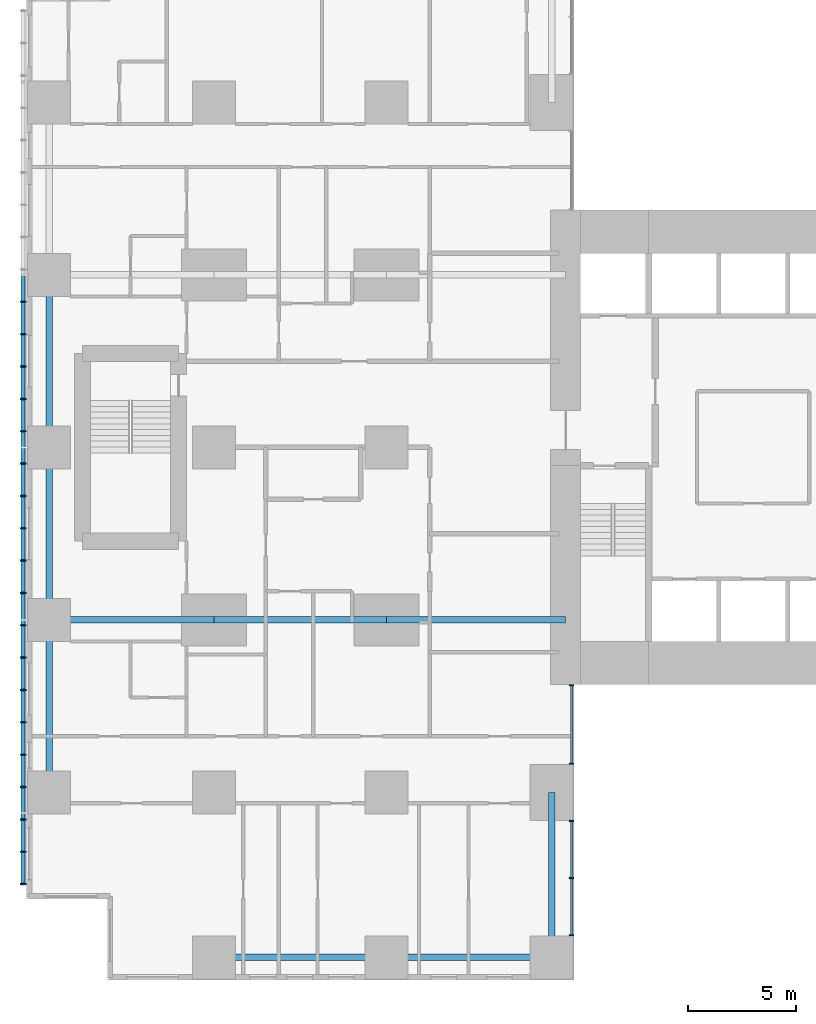
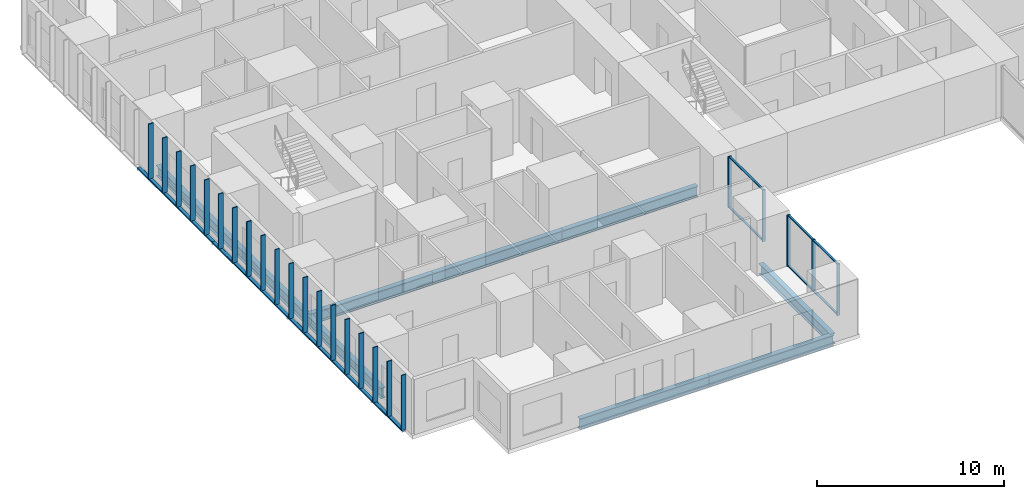
# One storey, part 2 of 20: 33 members, 9 beams, 2 elements without a shape of their own.
"""IFC4 building model written with IfcOpenShell, lengths in metres."""

import ifcopenshell
import ifcopenshell.guid

model = None  # the IFC model being written
_history = None  # IfcOwnerHistory: only IFC2X3 demands one
_inside = {}  # id of a spatial element -> (the spatial element, [elements in it])
_under = {}  # id of a project, library or spatial element -> (it, [spatial elements below it])
_declared = {}  # id of a project -> (the project, [libraries it declares])
_typed = {}  # id of a type object -> (the type object, [elements of that type])
_made_of = {}  # id of a material, layer set ... -> (it, [elements and type objects made of it])


def new_model(schema):
    """Start an empty IFC model of exactly this schema.

    Asked for "IFC4X3", IfcOpenShell would pick the latest addendum, in which some entities
    have other attributes; the version numbers below select the first issue.
    IFC2X3 requires an IfcOwnerHistory on every rooted entity: one is made here for all.
    """
    global model, _history
    if schema == "IFC4X3":
        model = ifcopenshell.file(schema_version=(4, 3, 0, 0))
    else:
        model = ifcopenshell.file(schema=schema)
    _inside.clear()
    _under.clear()
    _declared.clear()
    _typed.clear()
    _made_of.clear()
    _history = None
    if model.schema == "IFC2X3":
        org = make("IfcOrganization", Name="unknown")
        user = make(
            "IfcPersonAndOrganization",
            ThePerson=make("IfcPerson", FamilyName="unknown"),
            TheOrganization=org,
        )
        app = make(
            "IfcApplication",
            ApplicationDeveloper=org,
            Version="unknown",
            ApplicationFullName="unknown",
            ApplicationIdentifier="unknown",
        )
        _history = make(
            "IfcOwnerHistory",
            OwningUser=user,
            OwningApplication=app,
            ChangeAction="ADDED",
            CreationDate=0,
        )
    return model


def make(cls, **values):
    """One entity of the class cls with the attributes given. An attribute that is None is left unset."""
    return model.create_entity(
        cls, **{name: value for name, value in values.items() if value is not None}
    )


def rooted(cls, **values):
    """An entity with a GlobalId (a new one), such as an element, a storey or a relation."""
    return make(cls, GlobalId=ifcopenshell.guid.new(), OwnerHistory=_history, **values)


def si_unit(unit_type, name, prefix=None):
    """IfcSIUnit, for example si_unit("LENGTHUNIT", "METRE", prefix="MILLI")."""
    return make("IfcSIUnit", UnitType=unit_type, Prefix=prefix, Name=name)


def assignment(units):
    """IfcUnitAssignment: the units of a project."""
    return None if units is None else make("IfcUnitAssignment", Units=units)


def point(xyz):
    """IfcCartesianPoint."""
    return None if xyz is None else make("IfcCartesianPoint", Coordinates=xyz)


def direction(xyz):
    """IfcDirection."""
    return None if xyz is None else make("IfcDirection", DirectionRatios=xyz)


def frame(location, z_axis=None, x_axis=None):
    """IfcAxis2Placement3D, a coordinate frame: its origin and axes. An axis left out is left unset."""
    return make(
        "IfcAxis2Placement3D",
        Location=point(location),
        Axis=direction(z_axis),
        RefDirection=direction(x_axis),
    )


def frame_2d(location, x_axis=None):
    """IfcAxis2Placement2D, a coordinate frame in the plane: its origin and x axis."""
    return make(
        "IfcAxis2Placement2D", Location=point(location), RefDirection=direction(x_axis)
    )


def origin():
    """The frame at (0, 0, 0) with its axes left unset."""
    return frame((0.0, 0.0, 0.0))


def origin_2d():
    """The frame at (0, 0) in the plane with its x axis left unset."""
    return frame_2d((0.0, 0.0))


def place(relative_to, where):
    """IfcLocalPlacement: puts the frame where relative to a parent placement (None: the world)."""
    return make(
        "IfcLocalPlacement", PlacementRelTo=relative_to, RelativePlacement=where
    )


def context(
    kind, dimensions, precision=None, world=None, true_north=None, identifier=None
):
    """IfcGeometricRepresentationContext, for example the 3D "Model" context."""
    return make(
        "IfcGeometricRepresentationContext",
        ContextIdentifier=identifier,
        ContextType=kind,
        CoordinateSpaceDimension=dimensions,
        Precision=precision,
        WorldCoordinateSystem=world,
        TrueNorth=true_north,
    )


def subcontext(parent, identifier, kind, view, scale=None):
    """IfcGeometricRepresentationSubContext, for example "Body" below "Model"."""
    return make(
        "IfcGeometricRepresentationSubContext",
        ContextIdentifier=identifier,
        ContextType=kind,
        ParentContext=parent,
        TargetScale=scale,
        TargetView=view,
    )


def project(units=None, contexts=None):
    """IfcProject with its units and contexts."""
    return rooted(
        "IfcProject",
        Name="project",
        RepresentationContexts=contexts,
        UnitsInContext=assignment(units),
    )


def spatial(cls, under=None, at=None, **own):
    """A site, building, storey or space (cls), placed at a placement, below another one or the project."""
    s = rooted(cls, ObjectPlacement=at, **own)
    if under is not None:
        _under.setdefault(under.id(), (under, []))[1].append(s)
    return s


def profile(cls, at=None, kind="AREA", **sizes):
    """A parametric profile (cls). Its sizes go by their IFC names, for example OverallWidth=200.0."""
    return make(cls, ProfileType=kind, Position=at, **sizes)


def rectangle(**sizes):
    """IfcRectangleProfileDef."""
    return profile("IfcRectangleProfileDef", **sizes)


def hollow_rectangle(**sizes):
    """IfcRectangleHollowProfileDef."""
    return profile("IfcRectangleHollowProfileDef", **sizes)


def i_section(**sizes):
    """IfcIShapeProfileDef."""
    return profile("IfcIShapeProfileDef", **sizes)


def extrude(swept, where, along, depth):
    """IfcExtrudedAreaSolid: the profile swept, set in the frame where, extruded along a direction by depth."""
    return make(
        "IfcExtrudedAreaSolid",
        SweptArea=swept,
        Position=where,
        ExtrudedDirection=direction(along),
        Depth=depth,
    )


def shape(context_of_items, identifier, shape_type, items):
    """IfcShapeRepresentation: the items that make up one representation, for example the "Body"."""
    return make(
        "IfcShapeRepresentation",
        ContextOfItems=context_of_items,
        RepresentationIdentifier=identifier,
        RepresentationType=shape_type,
        Items=items,
    )


def material(Name=None, Category=None):
    """IfcMaterial."""
    return make("IfcMaterial", Name=Name, Category=Category)


def layer(
    of_material, thickness, ventilated=None, Name=None, Category=None, Priority=None
):
    """IfcMaterialLayer: one layer of a wall or slab, of a material (None: an air gap)."""
    return make(
        "IfcMaterialLayer",
        Material=of_material,
        LayerThickness=thickness,
        IsVentilated=ventilated,
        Name=Name,
        Category=Category,
        Priority=Priority,
    )


def layer_set(layers, Name=None):
    """IfcMaterialLayerSet."""
    return make("IfcMaterialLayerSet", MaterialLayers=layers, LayerSetName=Name)


def material_profile(
    of_material, cross_section, Name=None, Category=None, Priority=None
):
    """IfcMaterialProfile: a cross section and its material."""
    return make(
        "IfcMaterialProfile",
        Name=Name,
        Material=of_material,
        Profile=cross_section,
        Priority=Priority,
        Category=Category,
    )


def profile_set(profiles, Name=None, composite=None):
    """IfcMaterialProfileSet."""
    return make(
        "IfcMaterialProfileSet",
        Name=Name,
        MaterialProfiles=profiles,
        CompositeProfile=composite,
    )


def made_of(thing, what):
    """Note that an element or type object is made of a material, layer set ...; save() writes the relation."""
    if what is not None:
        _made_of.setdefault(what.id(), (what, []))[1].append(thing)
    return thing


def type_object(cls, material=None, **own):
    """A type object (cls), such as IfcWallType, which elements share."""
    return made_of(rooted(cls, **own), material)


def element(
    cls,
    number,
    at=None,
    inside=None,
    cuts=None,
    type_object=None,
    material=None,
    context=None,
    identifier="Body",
    shape_type=None,
    held_by="IfcProductDefinitionShape",
    body=None,
    shapes=None,
    **own,
):
    """One element of the class cls, such as IfcWall. Its Tag is "e" and its number.

    at: its placement. inside: the storey or other place that contains it. cuts: it is an
    opening in that element (IfcRelVoidsElement). A single representation is given by context,
    identifier, shape_type and body (its items); several are given by shapes. held_by: the class
    of the entity that holds the representations. save() writes the other relations.
    """
    e = rooted(cls, Tag="e%d" % number, ObjectPlacement=at, **own)
    if body is not None:
        shapes = [shape(context, identifier, shape_type, body)]
    if shapes is not None:
        e.Representation = make(held_by, Representations=shapes)
    if inside is not None:
        _inside.setdefault(inside.id(), (inside, []))[1].append(e)
    if cuts is not None:
        rooted(
            "IfcRelVoidsElement", RelatingBuildingElement=cuts, RelatedOpeningElement=e
        )
    if type_object is not None:
        _typed.setdefault(type_object.id(), (type_object, []))[1].append(e)
    return made_of(e, material)


def aggregate(whole, parts):
    """IfcRelAggregates: a whole, such as a stair, and the parts it consists of."""
    return rooted("IfcRelAggregates", RelatingObject=whole, RelatedObjects=parts)


def save(model, path):
    """Write the relations noted so far, then the file.

    IfcRelAggregates (storeys below a building ...), IfcRelContainedInSpatialStructure (elements
    in a storey), IfcRelDefinesByType, IfcRelAssociatesMaterial and IfcRelDeclares: one each for
    every whole, place, type object, material and project.
    """
    for whole, parts in _under.values():
        aggregate(whole, parts)
    for where, things in _inside.values():
        rooted(
            "IfcRelContainedInSpatialStructure",
            RelatedElements=things,
            RelatingStructure=where,
        )
    for kind, things in _typed.values():
        rooted("IfcRelDefinesByType", RelatedObjects=things, RelatingType=kind)
    for what, things in _made_of.values():
        rooted("IfcRelAssociatesMaterial", RelatedObjects=things, RelatingMaterial=what)
    for by, libraries in _declared.values():
        rooted("IfcRelDeclares", RelatingContext=by, RelatedDefinitions=libraries)
    model.write(path)


model = new_model("IFC4")

# Units and contexts
model_context = context("Model", 3, precision=1e-05, world=origin(), true_north=direction((0.0, 1.0)))
body_context = subcontext(model_context, "Body", "Model", "MODEL_VIEW")
ifc_project = project(units=[si_unit("LENGTHUNIT", "METRE"), si_unit("AREAUNIT", "SQUARE_METRE"), si_unit("VOLUMEUNIT", "CUBIC_METRE"), si_unit("PLANEANGLEUNIT", "RADIAN"), si_unit("MASSUNIT", "GRAM", prefix="KILO")], contexts=[model_context])

# Site, building, storey
site_placement = place(None, origin())
site = spatial("IfcSite", under=ifc_project, at=site_placement, CompositionType="ELEMENT")
building_placement = place(site_placement, origin())
building = spatial("IfcBuilding", under=site, at=building_placement, Name="Cleftline Residences", CompositionType="ELEMENT")
storey_placement = place(building_placement, frame((0.0, 0.0, 33.199951171875)))
storey = spatial("IfcBuildingStorey", under=building, at=storey_placement, Name="L07", CompositionType="ELEMENT", Elevation=33.199951171875)

# Members
ifc_material_1 = material(Name="Steel S355, hot-dip galvanised", Category="steel")
ifc_material_profile_1 = material_profile(ifc_material_1, hollow_rectangle(XDim=0.10009765625, YDim=0.199951171875, WallThickness=0.008056640625, InnerFilletRadius=0.008056640625, OuterFilletRadius=0.011962890625, at=origin_2d()))
ifc_profile_set_1 = profile_set([ifc_material_profile_1], Name="Steel S355, hot-dip galvanised")
member_type_1 = type_object("IfcMemberType", Name="BAGUETTE CARRIER RHS 200X100X8", PredefinedType="USERDEFINED", material=ifc_profile_set_1)
for number, where, z_axis, x_axis, name in (
    (1, (-0.85009765625, 32.0, -0.050048828125), (0.0, -1.0, 0.0), (0.0, 0.0, 1.0), "Baguette carrier"),
    (2, (-0.85009765625, 24.0, -0.050048828125), (0.0, -1.0, 0.0), (0.0, 0.0, 1.0), "Baguette carrier"),
):
    element("IfcMember", number, at=place(storey_placement, frame(where, z_axis=z_axis, x_axis=x_axis)), inside=storey, type_object=member_type_1, Name=name, ObjectType="BAGUETTE CARRIER", PredefinedType="USERDEFINED", context=body_context, shape_type="SweptSolid", body=[
        extrude(hollow_rectangle(XDim=0.10009765625, YDim=0.199951171875, WallThickness=0.008056640625, InnerFilletRadius=0.008056640625, OuterFilletRadius=0.011962890625, at=origin_2d()), origin(), (0.0, 0.0, 1.0), 8.0),
    ])
member_1_placement = place(storey_placement, frame((-0.85009765625, 16.0, -0.050048828125), z_axis=(0.0, -1.0, 0.0), x_axis=(0.0, 0.0, 1.0)))
element("IfcMember", 3, at=member_1_placement, inside=storey, type_object=member_type_1, Name="Baguette carrier", ObjectType="BAGUETTE CARRIER", PredefinedType="USERDEFINED", context=body_context, shape_type="SweptSolid", body=[
    extrude(hollow_rectangle(XDim=0.10009765625, YDim=0.199951171875, WallThickness=0.008056640625, InnerFilletRadius=0.008056640625, OuterFilletRadius=0.011962890625, at=origin_2d()), origin(), (0.0, 0.0, 1.0), 12.300048828125),
])

# Beams
ifc_material_2 = material(Name="Steel S355", Category="steel")
ifc_material_profile_2 = material_profile(ifc_material_2, i_section(OverallWidth=0.300048828125, OverallDepth=0.699951171875, WebThickness=0.01708984375, FlangeThickness=0.031982421875, FilletRadius=0.027099609375, at=origin_2d()))
ifc_profile_set_2 = profile_set([ifc_material_profile_2], Name="Steel S355")
beam_type_1 = type_object("IfcBeamType", Name="BEAM HEB 700", PredefinedType="BEAM", material=ifc_profile_set_2)
for number, where, z_axis, x_axis, name in (
    (4, (0.35009765625, 8.0, -0.599853515625), (0.0, 1.0, 0.0), (-1.0, 0.0, 0.0), "Edge beam"),
    (5, (0.35009765625, 16.0, -0.599853515625), (0.0, 1.0, 0.0), (-1.0, 0.0, 0.0), "Edge beam"),
    (6, (0.35009765625, 24.0, -0.599853515625), (0.0, 1.0, 0.0), (-1.0, 0.0, 0.0), "Edge beam"),
    (7, (8.0, 0.35009765625, -0.599853515625), (1.0, 0.0, 0.0), (0.0, 1.0, 0.0), "Edge beam"),
):
    element("IfcBeam", number, at=place(storey_placement, frame(where, z_axis=z_axis, x_axis=x_axis)), inside=storey, type_object=beam_type_1, Name=name, PredefinedType="BEAM", context=body_context, shape_type="SweptSolid", body=[
        extrude(i_section(OverallWidth=0.300048828125, OverallDepth=0.699951171875, WebThickness=0.01708984375, FlangeThickness=0.031982421875, FilletRadius=0.027099609375, at=origin_2d()), origin(), (0.0, 0.0, 1.0), 8.0),
    ])
for number, where, z_axis, x_axis, name in (
    (8, (16.0, 0.35009765625, -0.599853515625), (1.0, 0.0, 0.0), (0.0, 1.0, 0.0), "Edge beam"),
    (9, (23.64990234375, 0.35009765625, -0.599853515625), (0.0, 1.0, 0.0), (-1.0, 0.0, 0.0), "Edge beam"),
):
    element("IfcBeam", number, at=place(storey_placement, frame(where, z_axis=z_axis, x_axis=x_axis)), inside=storey, type_object=beam_type_1, Name=name, PredefinedType="BEAM", context=body_context, shape_type="SweptSolid", body=[
        extrude(i_section(OverallWidth=0.300048828125, OverallDepth=0.699951171875, WebThickness=0.01708984375, FlangeThickness=0.031982421875, FilletRadius=0.027099609375, at=origin_2d()), origin(), (0.0, 0.0, 1.0), 7.64990234375),
    ])
ifc_material_3 = material(Name="Steel S355", Category="steel")
ifc_material_profile_3 = material_profile(ifc_material_3, i_section(OverallWidth=0.303955078125, OverallDepth=0.716064453125, WebThickness=0.02099609375, FlangeThickness=0.0400390625, FilletRadius=0.027099609375, at=origin_2d()))
ifc_profile_set_3 = profile_set([ifc_material_profile_3], Name="Steel S355")
beam_type_2 = type_object("IfcBeamType", Name="BEAM HEM 700", PredefinedType="BEAM", material=ifc_profile_set_3)
beam_1_placement = place(storey_placement, frame((0.35009765625, 16.0, -0.60791015625), z_axis=(1.0, 0.0, 0.0), x_axis=(0.0, 1.0, 0.0)))
element("IfcBeam", 10, at=beam_1_placement, inside=storey, type_object=beam_type_2, Name="Band beam", PredefinedType="BEAM", context=body_context, shape_type="SweptSolid", body=[
    extrude(i_section(OverallWidth=0.303955078125, OverallDepth=0.716064453125, WebThickness=0.02099609375, FlangeThickness=0.0400390625, FilletRadius=0.027099609375, at=origin_2d()), origin(), (0.0, 0.0, 1.0), 7.64990234375),
])
beam_2_placement = place(storey_placement, frame((8.0, 16.0, -0.60791015625), z_axis=(1.0, 0.0, 0.0), x_axis=(0.0, 1.0, 0.0)))
element("IfcBeam", 11, at=beam_2_placement, inside=storey, type_object=beam_type_2, Name="Band beam", PredefinedType="BEAM", context=body_context, shape_type="SweptSolid", body=[
    extrude(i_section(OverallWidth=0.303955078125, OverallDepth=0.716064453125, WebThickness=0.02099609375, FlangeThickness=0.0400390625, FilletRadius=0.027099609375, at=origin_2d()), origin(), (0.0, 0.0, 1.0), 8.0),
])
beam_3_placement = place(storey_placement, frame((16.0, 16.0, -0.60791015625), z_axis=(1.0, 0.0, 0.0), x_axis=(0.0, 1.0, 0.0)))
element("IfcBeam", 12, at=beam_3_placement, inside=storey, type_object=beam_type_2, Name="Band beam", PredefinedType="BEAM", context=body_context, shape_type="SweptSolid", body=[
    extrude(i_section(OverallWidth=0.303955078125, OverallDepth=0.716064453125, WebThickness=0.02099609375, FlangeThickness=0.0400390625, FilletRadius=0.027099609375, at=origin_2d()), origin(), (0.0, 0.0, 1.0), 8.300048828125),
])

# Curtain wall, members
ifc_material_4 = material(Name="Aluminium framed curtain wall", Category="aluminium")
ifc_layer = layer(ifc_material_4, 0.199951171875)
ifc_layer_set = layer_set([ifc_layer], Name="CW1 CLEFT GLAZING")
curtain_wall_type = type_object("IfcCurtainWallType", Name="CW1 CLEFT GLAZING", PredefinedType="NOTDEFINED", material=ifc_layer_set)
curtain_wall_1_placement = place(storey_placement, origin())
curtain_wall_1 = element("IfcCurtainWall", 13, at=curtain_wall_1_placement, inside=storey, type_object=curtain_wall_type, Name="Curtain wall CW1", PredefinedType="NOTDEFINED")
ifc_material_5 = material(Name="Aluminium mullion", Category="aluminium")
ifc_material_profile_4 = material_profile(ifc_material_5, rectangle(XDim=0.199951171875, YDim=0.06005859375, at=origin_2d()))
ifc_profile_set_4 = profile_set([ifc_material_profile_4], Name="Aluminium mullion")
member_type_2 = type_object("IfcMemberType", Name="CW1 MULLION", PredefinedType="MULLION", material=ifc_profile_set_4)
member_2_placement = place(storey_placement, frame((24.574951171875, 1.3798828125, 0.0), z_axis=(0.0, 0.0, 1.0), x_axis=(-1.0, 0.0, 0.0)))
member_2 = element("IfcMember", 14, at=member_2_placement, type_object=member_type_2, Name="CW1 mullion 1", PredefinedType="MULLION", context=body_context, shape_type="SweptSolid", body=[
    extrude(rectangle(XDim=0.199951171875, YDim=0.06005859375, at=origin_2d()), origin(), (0.0, 0.0, 1.0), 3.35009765625),
])
member_3_placement = place(storey_placement, frame((24.574951171875, 4.02490234375, 0.0), z_axis=(0.0, 0.0, 1.0), x_axis=(-1.0, 0.0, 0.0)))
member_3 = element("IfcMember", 15, at=member_3_placement, type_object=member_type_2, Name="CW1 mullion 2", PredefinedType="MULLION", context=body_context, shape_type="SweptSolid", body=[
    extrude(rectangle(XDim=0.199951171875, YDim=0.06005859375, at=origin_2d()), origin(), (0.0, 0.0, 1.0), 3.35009765625),
])
member_4_placement = place(storey_placement, frame((24.574951171875, 6.669921875, 0.0), z_axis=(0.0, 0.0, 1.0), x_axis=(-1.0, 0.0, 0.0)))
member_4 = element("IfcMember", 16, at=member_4_placement, type_object=member_type_2, Name="CW1 mullion 3", PredefinedType="MULLION", context=body_context, shape_type="SweptSolid", body=[
    extrude(rectangle(XDim=0.199951171875, YDim=0.06005859375, at=origin_2d()), origin(), (0.0, 0.0, 1.0), 3.35009765625),
])

curtain_wall_2_placement = place(storey_placement, origin())
curtain_wall_2 = element("IfcCurtainWall", 17, at=curtain_wall_2_placement, inside=storey, type_object=curtain_wall_type, Name="Curtain wall CW1", PredefinedType="NOTDEFINED")
member_5_placement = place(storey_placement, frame((24.574951171875, 9.330078125, 0.0), z_axis=(0.0, 0.0, 1.0), x_axis=(-1.0, 0.0, 0.0)))
member_5 = element("IfcMember", 18, at=member_5_placement, type_object=member_type_2, Name="CW1 mullion 1", PredefinedType="MULLION", context=body_context, shape_type="SweptSolid", body=[
    extrude(rectangle(XDim=0.199951171875, YDim=0.06005859375, at=origin_2d()), origin(), (0.0, 0.0, 1.0), 3.35009765625),
])
member_6_placement = place(storey_placement, frame((24.574951171875, 12.969970703125, 0.0), z_axis=(0.0, 0.0, 1.0), x_axis=(-1.0, 0.0, 0.0)))
member_6 = element("IfcMember", 19, at=member_6_placement, type_object=member_type_2, Name="CW1 mullion 2", PredefinedType="MULLION", context=body_context, shape_type="SweptSolid", body=[
    extrude(rectangle(XDim=0.199951171875, YDim=0.06005859375, at=origin_2d()), origin(), (0.0, 0.0, 1.0), 3.35009765625),
])

# Member
ifc_material_6 = material(Name="Aluminium transom", Category="aluminium")
ifc_material_profile_5 = material_profile(ifc_material_6, rectangle(XDim=0.1201171875, YDim=0.06005859375, at=origin_2d()))
ifc_profile_set_5 = profile_set([ifc_material_profile_5], Name="Aluminium transom")
member_type_3 = type_object("IfcMemberType", Name="CW1 TRANSOM", PredefinedType="USERDEFINED", material=ifc_profile_set_5)
member_7_placement = place(storey_placement, frame((24.574951171875, 1.409912109375, 0.030029296875), z_axis=(0.0, 1.0, 0.0), x_axis=(-1.0, 0.0, 0.0)))
member_7 = element("IfcMember", 20, at=member_7_placement, type_object=member_type_3, Name="CW1 transom 1.1", ObjectType="TRANSOM", PredefinedType="USERDEFINED", context=body_context, shape_type="SweptSolid", body=[
    extrude(rectangle(XDim=0.1201171875, YDim=0.06005859375, at=origin_2d()), origin(), (0.0, 0.0, 1.0), 2.585205078125),
])

member_8_placement = place(storey_placement, frame((24.574951171875, 1.409912109375, 3.320068359375), z_axis=(0.0, 1.0, 0.0), x_axis=(-1.0, 0.0, 0.0)))
member_8 = element("IfcMember", 21, at=member_8_placement, type_object=member_type_3, Name="CW1 transom 1.2", ObjectType="TRANSOM", PredefinedType="USERDEFINED", context=body_context, shape_type="SweptSolid", body=[
    extrude(rectangle(XDim=0.1201171875, YDim=0.06005859375, at=origin_2d()), origin(), (0.0, 0.0, 1.0), 2.585205078125),
])

member_9_placement = place(storey_placement, frame((24.574951171875, 4.054931640625, 0.030029296875), z_axis=(0.0, 1.0, 0.0), x_axis=(-1.0, 0.0, 0.0)))
member_9 = element("IfcMember", 22, at=member_9_placement, type_object=member_type_3, Name="CW1 transom 2.1", ObjectType="TRANSOM", PredefinedType="USERDEFINED", context=body_context, shape_type="SweptSolid", body=[
    extrude(rectangle(XDim=0.1201171875, YDim=0.06005859375, at=origin_2d()), origin(), (0.0, 0.0, 1.0), 2.5849609375),
])

member_10_placement = place(storey_placement, frame((24.574951171875, 4.054931640625, 3.320068359375), z_axis=(0.0, 1.0, 0.0), x_axis=(-1.0, 0.0, 0.0)))
member_10 = element("IfcMember", 23, at=member_10_placement, type_object=member_type_3, Name="CW1 transom 2.2", ObjectType="TRANSOM", PredefinedType="USERDEFINED", context=body_context, shape_type="SweptSolid", body=[
    extrude(rectangle(XDim=0.1201171875, YDim=0.06005859375, at=origin_2d()), origin(), (0.0, 0.0, 1.0), 2.5849609375),
])

aggregate(curtain_wall_1, [member_2, member_3, member_4, member_7, member_8, member_9, member_10])

member_11_placement = place(storey_placement, frame((24.574951171875, 9.360107421875, 0.030029296875), z_axis=(0.0, 1.0, 0.0), x_axis=(-1.0, 0.0, 0.0)))
member_11 = element("IfcMember", 24, at=member_11_placement, type_object=member_type_3, Name="CW1 transom 1.1", ObjectType="TRANSOM", PredefinedType="USERDEFINED", context=body_context, shape_type="SweptSolid", body=[
    extrude(rectangle(XDim=0.1201171875, YDim=0.06005859375, at=origin_2d()), origin(), (0.0, 0.0, 1.0), 3.579833984375),
])

member_12_placement = place(storey_placement, frame((24.574951171875, 9.360107421875, 3.320068359375), z_axis=(0.0, 1.0, 0.0), x_axis=(-1.0, 0.0, 0.0)))
member_12 = element("IfcMember", 25, at=member_12_placement, type_object=member_type_3, Name="CW1 transom 1.2", ObjectType="TRANSOM", PredefinedType="USERDEFINED", context=body_context, shape_type="SweptSolid", body=[
    extrude(rectangle(XDim=0.1201171875, YDim=0.06005859375, at=origin_2d()), origin(), (0.0, 0.0, 1.0), 3.579833984375),
])

aggregate(curtain_wall_2, [member_5, member_6, member_11, member_12])

# Members
ifc_material_7 = material(Name="Extruded terracotta", Category="masonry")
ifc_material_profile_6 = material_profile(ifc_material_7, rectangle(XDim=0.06005859375, YDim=0.300048828125, at=origin_2d()))
ifc_profile_set_6 = profile_set([ifc_material_profile_6], Name="Extruded terracotta")
member_type_4 = type_object("IfcMemberType", Name="TERRACOTTA BAGUETTE 60X300", PredefinedType="USERDEFINED", material=ifc_profile_set_6)
for number, where, z_axis, x_axis, name in (
    (26, (-0.85009765625, 30.75, 0.0), (0.0, 0.0, 1.0), (0.0, 1.0, 0.0), "Terracotta baguette"),
    (27, (-0.85009765625, 29.25, 0.0), (0.0, 0.0, 1.0), (0.0, 1.0, 0.0), "Terracotta baguette"),
    (28, (-0.85009765625, 27.75, 0.0), (0.0, 0.0, 1.0), (0.0, 1.0, 0.0), "Terracotta baguette"),
    (29, (-0.85009765625, 26.25, 0.0), (0.0, 0.0, 1.0), (0.0, 1.0, 0.0), "Terracotta baguette"),
    (30, (-0.85009765625, 24.75, 0.0), (0.0, 0.0, 1.0), (0.0, 1.0, 0.0), "Terracotta baguette"),
    (31, (-0.85009765625, 23.25, 0.0), (0.0, 0.0, 1.0), (0.0, 1.0, 0.0), "Terracotta baguette"),
    (32, (-0.85009765625, 21.75, 0.0), (0.0, 0.0, 1.0), (0.0, 1.0, 0.0), "Terracotta baguette"),
    (33, (-0.85009765625, 20.25, 0.0), (0.0, 0.0, 1.0), (0.0, 1.0, 0.0), "Terracotta baguette"),
    (34, (-0.85009765625, 18.75, 0.0), (0.0, 0.0, 1.0), (0.0, 1.0, 0.0), "Terracotta baguette"),
    (35, (-0.85009765625, 17.25, 0.0), (0.0, 0.0, 1.0), (0.0, 1.0, 0.0), "Terracotta baguette"),
    (36, (-0.85009765625, 15.75, 0.0), (0.0, 0.0, 1.0), (0.0, 1.0, 0.0), "Terracotta baguette"),
    (37, (-0.85009765625, 14.25, 0.0), (0.0, 0.0, 1.0), (0.0, 1.0, 0.0), "Terracotta baguette"),
    (38, (-0.85009765625, 12.75, 0.0), (0.0, 0.0, 1.0), (0.0, 1.0, 0.0), "Terracotta baguette"),
    (39, (-0.85009765625, 11.25, 0.0), (0.0, 0.0, 1.0), (0.0, 1.0, 0.0), "Terracotta baguette"),
    (40, (-0.85009765625, 9.75, 0.0), (0.0, 0.0, 1.0), (0.0, 1.0, 0.0), "Terracotta baguette"),
    (41, (-0.85009765625, 8.25, 0.0), (0.0, 0.0, 1.0), (0.0, 1.0, 0.0), "Terracotta baguette"),
    (42, (-0.85009765625, 6.75, 0.0), (0.0, 0.0, 1.0), (0.0, 1.0, 0.0), "Terracotta baguette"),
    (43, (-0.85009765625, 5.25, 0.0), (0.0, 0.0, 1.0), (0.0, 1.0, 0.0), "Terracotta baguette"),
    (44, (-0.85009765625, 3.75, 0.0), (0.0, 0.0, 1.0), (0.0, 1.0, 0.0), "Terracotta baguette"),
):
    element("IfcMember", number, at=place(storey_placement, frame(where, z_axis=z_axis, x_axis=x_axis)), inside=storey, type_object=member_type_4, Name=name, ObjectType="BAGUETTE", PredefinedType="USERDEFINED", context=body_context, shape_type="SweptSolid", body=[
        extrude(rectangle(XDim=0.06005859375, YDim=0.300048828125, at=origin_2d()), origin(), (0.0, 0.0, 1.0), 3.60009765625),
    ])

save(model, "model.ifc")
